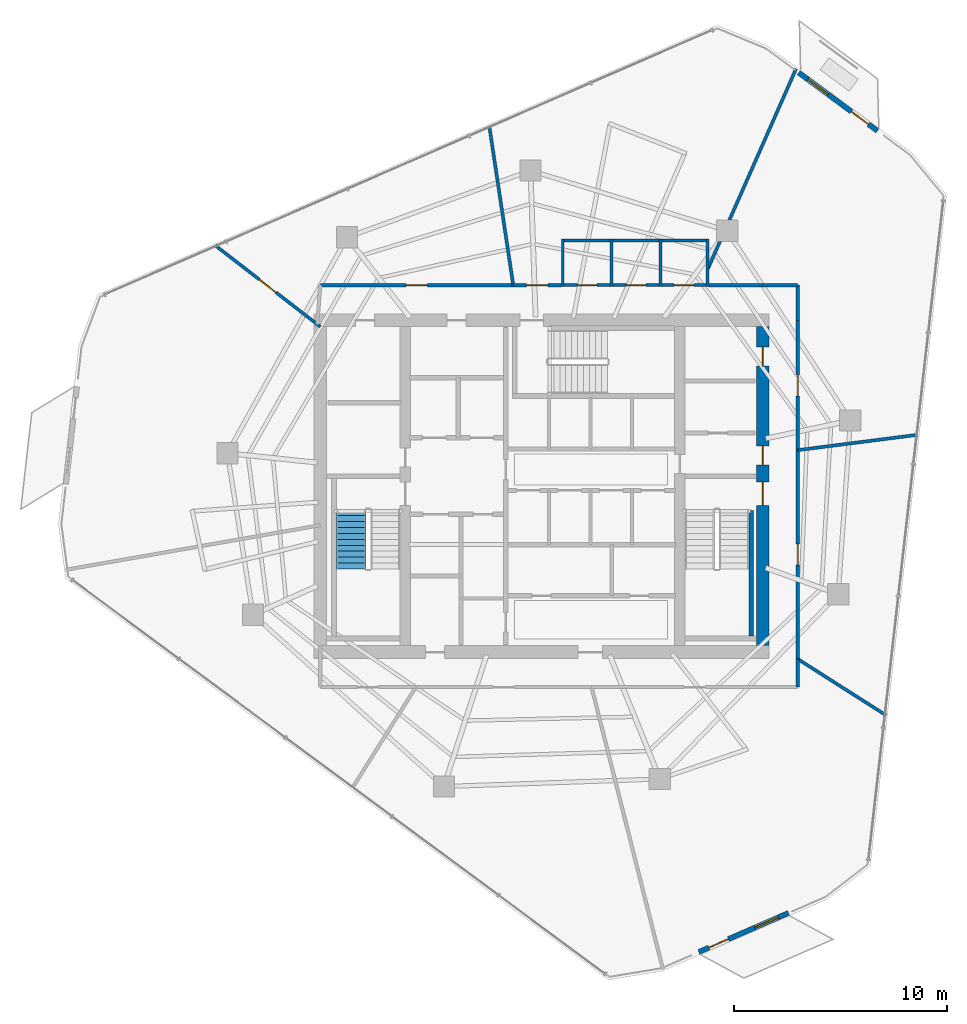
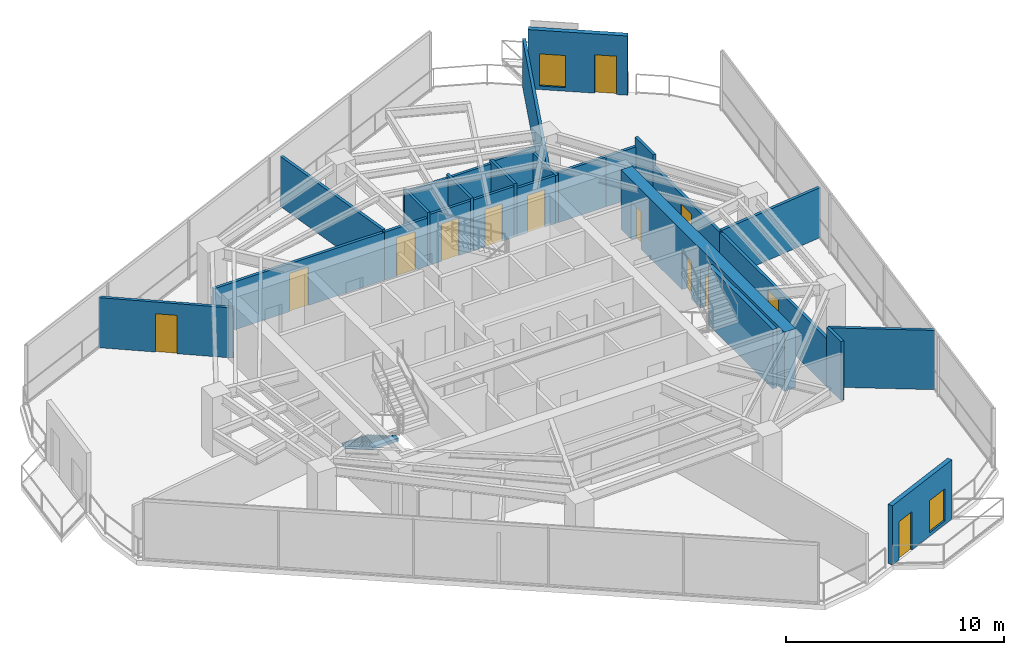
# One storey, part 19 of 22: 27 walls, 13 doors, 2 windows, 1 stair flight, 15 openings, 1 element without a shape of its own.
"""IFC4 building model written with IfcOpenShell, lengths in metres."""

from ifc_helpers import new_model, si_unit, direction, frame, frame_2d, origin, place, context, subcontext, project, spatial, polyline, rectangle, outline, extrude, material, layer, layer_set, type_object, element, fill, aggregate, save


model = new_model("IFC4")

# Units and contexts
model_context = context("Model", 3, precision=1e-05, world=origin(), true_north=direction((0.0, 1.0)))
body_context = subcontext(model_context, "Body", "Model", "MODEL_VIEW")
ifc_project = project(units=[si_unit("LENGTHUNIT", "METRE"), si_unit("AREAUNIT", "SQUARE_METRE"), si_unit("VOLUMEUNIT", "CUBIC_METRE"), si_unit("PLANEANGLEUNIT", "RADIAN"), si_unit("MASSUNIT", "GRAM", prefix="KILO")], contexts=[model_context])

# Site, building, storey
site_placement = place(None, origin())
site = spatial("IfcSite", under=ifc_project, at=site_placement, CompositionType="ELEMENT")
building_placement = place(site_placement, origin())
building = spatial("IfcBuilding", under=site, at=building_placement, Name="Qarnah Convention Tower", CompositionType="ELEMENT")
storey_placement = place(building_placement, frame((0.0, 0.0, 154.5)))
storey = spatial("IfcBuildingStorey", under=building, at=storey_placement, Name="L41", CompositionType="ELEMENT", Elevation=154.5)

# Wall, openings, doors
ifc_material_1 = material(Name="Concrete C60/75", Category="concrete")
ifc_layer_1 = layer(ifc_material_1, 0.60009765625)
ifc_layer_set_1 = layer_set([ifc_layer_1], Name="Concrete C60/75")
wall_type_1 = type_object("IfcWallType", Name="WL-CORE-600", PredefinedType="SHEAR", material=ifc_layer_set_1)
wall_1_placement = place(storey_placement, frame((47.60009765625, 18.89990234375, 0.0), z_axis=(0.0, 0.0, 1.0), x_axis=(0.0, 1.0, 0.0)))
wall_1 = element("IfcWall", 1, at=wall_1_placement, inside=storey, type_object=wall_type_1, Name="L41 core east shear wall", PredefinedType="SHEAR", context=body_context, shape_type="SweptSolid", body=[
    extrude(rectangle(XDim=15.0, YDim=0.60009765625, at=frame_2d((7.5, 0.0))), origin(), (0.0, 0.0, 1.0), 3.320068359375),
])
opening_1_placement = place(wall_1_placement, frame((6.60009765625, 0.0, 0.0)))
opening_1 = element("IfcOpeningElement", 2, at=opening_1_placement, cuts=wall_1, Name="Opening D-4102", PredefinedType="OPENING", context=body_context, shape_type="SweptSolid", body=[
    extrude(rectangle(XDim=1.10009765625, YDim=2.14990234375, at=frame_2d((0.550048828125, 1.074951171875))), frame((0.0, 0.31005859375, 0.0), z_axis=(0.0, -1.0, 0.0), x_axis=(1.0, 0.0, 0.0)), (0.0, 0.0, 1.0), 0.6201171875),
])
opening_2_placement = place(wall_1_placement, frame((8.5, 0.0, 0.0)))
opening_2 = element("IfcOpeningElement", 3, at=opening_2_placement, cuts=wall_1, Name="Opening D-4106", PredefinedType="OPENING", context=body_context, shape_type="SweptSolid", body=[
    extrude(rectangle(XDim=0.89990234375, YDim=2.10009765625, at=frame_2d((0.449951171875, 1.050048828125))), frame((0.0, 0.31005859375, 0.0), z_axis=(0.0, -1.0, 0.0), x_axis=(1.0, 0.0, 0.0)), (0.0, 0.0, 1.0), 0.6201171875),
])
opening_3_placement = place(wall_1_placement, frame((13.14990234375, 0.0, 0.0)))
opening_3 = element("IfcOpeningElement", 4, at=opening_3_placement, cuts=wall_1, Name="Opening D-4112", PredefinedType="OPENING", context=body_context, shape_type="SweptSolid", body=[
    extrude(rectangle(XDim=0.89990234375, YDim=2.10009765625, at=frame_2d((0.449951171875, 1.050048828125))), frame((0.0, 0.31005859375, 0.0), z_axis=(0.0, -1.0, 0.0), x_axis=(1.0, 0.0, 0.0)), (0.0, 0.0, 1.0), 0.6201171875),
])
ifc_material_2 = material(Name="Structural steel S355JR", Category="steel")
door_type_1 = type_object("IfcDoorType", Name="DT-RISER-900", OperationType="NOTDEFINED", PredefinedType="DOOR", material=ifc_material_2)
door_1_placement = place(opening_2_placement, origin())
door_1 = element("IfcDoor", 5, at=door_1_placement, inside=storey, type_object=door_type_1, Name="Door D-4106", OperationType="SINGLE_SWING_LEFT", OverallHeight=2.10009765625, OverallWidth=0.89990234375, PredefinedType="DOOR", context=body_context, shape_type="SweptSolid", body=[
    extrude(rectangle(XDim=0.89990234375, YDim=2.10009765625, at=frame_2d((0.449951171875, 1.050048828125))), frame((0.0, 0.02490234375, 0.0), z_axis=(0.0, -1.0, 0.0), x_axis=(1.0, 0.0, 0.0)), (0.0, 0.0, 1.0), 0.050048828125),
])
fill(opening_2, door_1)
door_2_placement = place(opening_3_placement, origin())
door_2 = element("IfcDoor", 6, at=door_2_placement, inside=storey, type_object=door_type_1, Name="Door D-4112", OperationType="SINGLE_SWING_LEFT", OverallHeight=2.10009765625, OverallWidth=0.89990234375, PredefinedType="DOOR", context=body_context, shape_type="SweptSolid", body=[
    extrude(rectangle(XDim=0.89990234375, YDim=2.10009765625, at=frame_2d((0.449951171875, 1.050048828125))), frame((0.0, 0.02490234375, 0.0), z_axis=(0.0, -1.0, 0.0), x_axis=(1.0, 0.0, 0.0)), (0.0, 0.0, 1.0), 0.050048828125),
])
fill(opening_3, door_2)
door_type_2 = type_object("IfcDoorType", Name="DT-STAIR-1100", OperationType="NOTDEFINED", PredefinedType="DOOR", material=ifc_material_2)
door_3_placement = place(opening_1_placement, origin())
door_3 = element("IfcDoor", 7, at=door_3_placement, inside=storey, type_object=door_type_2, Name="Door D-4102", OperationType="SINGLE_SWING_LEFT", OverallHeight=2.14990234375, OverallWidth=1.10009765625, PredefinedType="DOOR", context=body_context, shape_type="SweptSolid", body=[
    extrude(rectangle(XDim=1.10009765625, YDim=2.14990234375, at=frame_2d((0.550048828125, 1.074951171875))), frame((0.0, 0.02490234375, 0.0), z_axis=(0.0, -1.0, 0.0), x_axis=(1.0, 0.0, 0.0)), (0.0, 0.0, 1.0), 0.050048828125),
])
fill(opening_1, door_3)

# Wall
ifc_layer_2 = layer(ifc_material_1, 0.219970703125)
ifc_layer_set_2 = layer_set([ifc_layer_2], Name="Concrete C60/75")
wall_type_2 = type_object("IfcWallType", Name="WL-CORE-STAIR-220", PredefinedType="SHEAR", material=ifc_layer_set_2)
wall_2_placement = place(storey_placement, frame((47.06005859375, 19.35009765625, 0.0), z_axis=(0.0, 0.0, 1.0), x_axis=(0.0, 1.0, 0.0)))
element("IfcWall", 8, at=wall_2_placement, inside=storey, type_object=wall_type_2, Name="L41 stair shaft shear wall SW-L41-ST2E", PredefinedType="SHEAR", context=body_context, shape_type="SweptSolid", body=[
    extrude(rectangle(XDim=5.89990234375, YDim=0.219970703125, at=frame_2d((2.949951171875, 0.0))), origin(), (0.0, 0.0, 1.0), 3.320068359375),
])

# Wall, openings, door, window
ifc_material_3 = material(Name="Precast concrete C45/55", Category="concrete")
ifc_layer_3 = layer(ifc_material_3, 0.239990234375)
ifc_layer_set_3 = layer_set([ifc_layer_3], Name="Precast concrete C45/55")
wall_type_3 = type_object("IfcWallType", Name="WL-EXT-BAL-240", PredefinedType="SOLIDWALL", material=ifc_layer_set_3)
wall_3_placement = place(storey_placement, frame((49.2939453125, 45.844970703125, 0.0), z_axis=(0.0, 0.0, 1.0), x_axis=(0.804088999251, -0.594508941298, 0.0)))
wall_3 = element("IfcWall", 9, at=wall_3_placement, inside=storey, type_object=wall_type_3, Name="L41 loggia threshold wall BAL-L41-C1", PredefinedType="SOLIDWALL", context=body_context, shape_type="SweptSolid", body=[
    extrude(rectangle(XDim=4.60009765625, YDim=0.239990234375, at=frame_2d((2.300048828125, 0.0))), origin(), (0.0, 0.0, 1.0), 3.320068359375),
])
opening_4_placement = place(wall_3_placement, frame((3.080078125, 0.0, 0.0)))
opening_4 = element("IfcOpeningElement", 10, at=opening_4_placement, cuts=wall_3, Name="Opening BD-4101", PredefinedType="OPENING", context=body_context, shape_type="SweptSolid", body=[
    extrude(rectangle(XDim=1.0, YDim=2.14990234375, at=frame_2d((0.5, 1.074951171875))), frame((0.0, 0.1298828125, 0.0), z_axis=(0.0, -1.0, 0.0), x_axis=(1.0, 0.0, 0.0)), (0.0, 0.0, 1.0), 0.260009765625),
])
opening_5_placement = place(wall_3_placement, frame((0.52001953125, 0.0, 0.199951171875)))
opening_5 = element("IfcOpeningElement", 11, at=opening_5_placement, cuts=wall_3, Name="Opening WN5", PredefinedType="OPENING", context=body_context, shape_type="SweptSolid", body=[
    extrude(rectangle(XDim=1.199951171875, YDim=1.800048828125, at=frame_2d((0.60009765625, 0.89990234375))), frame((0.0, 0.1298828125, 0.0), z_axis=(0.0, -1.0, 0.0), x_axis=(1.0, 0.0, 0.0)), (0.0, 0.0, 1.0), 0.260009765625),
])
ifc_material_4 = material(Name="Black anodised aluminium", Category="aluminium")
door_type_3 = type_object("IfcDoorType", Name="DT-BAL-1000", OperationType="NOTDEFINED", PredefinedType="DOOR", material=ifc_material_4)
door_4_placement = place(opening_4_placement, origin())
door_4 = element("IfcDoor", 12, at=door_4_placement, inside=storey, type_object=door_type_3, Name="L41 balcony terrace door BAL-L41-C1", OperationType="SINGLE_SWING_RIGHT", OverallHeight=2.14990234375, OverallWidth=1.0, PredefinedType="DOOR", context=body_context, shape_type="SweptSolid", body=[
    extrude(rectangle(XDim=1.0, YDim=2.14990234375, at=frame_2d((0.5, 1.074951171875))), frame((0.0, 0.02490234375, 0.0), z_axis=(0.0, -1.0, 0.0), x_axis=(1.0, 0.0, 0.0)), (0.0, 0.0, 1.0), 0.050048828125),
])
fill(opening_4, door_4)
ifc_material_5 = material(Name="Tempered Low-E dark glass", Category="glass")
window_type = type_object("IfcWindowType", Name="WT-BAL-1200X1800", PartitioningType="SINGLE_PANEL", PredefinedType="WINDOW", material=ifc_material_5)
window_1_placement = place(opening_5_placement, origin())
window_1 = element("IfcWindow", 13, at=window_1_placement, inside=storey, type_object=window_type, Name="Window BW-BAL-L41-C1", OverallHeight=1.800048828125, OverallWidth=1.199951171875, PartitioningType="SINGLE_PANEL", PredefinedType="WINDOW", context=body_context, shape_type="SweptSolid", body=[
    extrude(rectangle(XDim=1.199951171875, YDim=1.800048828125, at=frame_2d((0.60009765625, 0.89990234375))), frame((0.0, 0.030029296875, 0.0), z_axis=(0.0, -1.0, 0.0), x_axis=(1.0, 0.0, 0.0)), (0.0, 0.0, 1.0), 0.06005859375),
])
fill(opening_5, window_1)

wall_4_placement = place(storey_placement, frame((48.81591796875, 6.3330078125, 0.0), z_axis=(0.0, 0.0, 1.0), x_axis=(-0.916909671924, -0.399094792665, 0.0)))
wall_4 = element("IfcWall", 14, at=wall_4_placement, inside=storey, type_object=wall_type_3, Name="L41 loggia threshold wall BAL-L41-C3", PredefinedType="SOLIDWALL", context=body_context, shape_type="SweptSolid", body=[
    extrude(rectangle(XDim=4.600341796875, YDim=0.239990234375, at=frame_2d((2.30029296875, 0.0))), origin(), (0.0, 0.0, 1.0), 3.320068359375),
])
opening_6_placement = place(wall_4_placement, frame((3.080078125, 0.0, 0.0)))
opening_6 = element("IfcOpeningElement", 15, at=opening_6_placement, cuts=wall_4, Name="Opening BD-4103", PredefinedType="OPENING", context=body_context, shape_type="SweptSolid", body=[
    extrude(rectangle(XDim=1.0, YDim=2.14990234375, at=frame_2d((0.5, 1.074951171875))), frame((0.0, 0.1298828125, 0.0), z_axis=(0.0, -1.0, 0.0), x_axis=(1.0, 0.0, 0.0)), (0.0, 0.0, 1.0), 0.260009765625),
])
opening_7_placement = place(wall_4_placement, frame((0.52001953125, 0.0, 0.199951171875)))
opening_7 = element("IfcOpeningElement", 16, at=opening_7_placement, cuts=wall_4, Name="Opening WN5", PredefinedType="OPENING", context=body_context, shape_type="SweptSolid", body=[
    extrude(rectangle(XDim=1.199951171875, YDim=1.800048828125, at=frame_2d((0.60009765625, 0.89990234375))), frame((0.0, 0.1298828125, 0.0), z_axis=(0.0, -1.0, 0.0), x_axis=(1.0, 0.0, 0.0)), (0.0, 0.0, 1.0), 0.260009765625),
])
door_5_placement = place(opening_6_placement, origin())
door_5 = element("IfcDoor", 17, at=door_5_placement, inside=storey, type_object=door_type_3, Name="L41 balcony terrace door BAL-L41-C3", OperationType="SINGLE_SWING_RIGHT", OverallHeight=2.14990234375, OverallWidth=1.0, PredefinedType="DOOR", context=body_context, shape_type="SweptSolid", body=[
    extrude(rectangle(XDim=1.0, YDim=2.14990234375, at=frame_2d((0.5, 1.074951171875))), frame((0.0, 0.02490234375, 0.0), z_axis=(0.0, -1.0, 0.0), x_axis=(1.0, 0.0, 0.0)), (0.0, 0.0, 1.0), 0.050048828125),
])
fill(opening_6, door_5)
window_2_placement = place(opening_7_placement, origin())
window_2 = element("IfcWindow", 18, at=window_2_placement, inside=storey, type_object=window_type, Name="Window BW-BAL-L41-C3", OverallHeight=1.800048828125, OverallWidth=1.199951171875, PartitioningType="SINGLE_PANEL", PredefinedType="WINDOW", context=body_context, shape_type="SweptSolid", body=[
    extrude(rectangle(XDim=1.199951171875, YDim=1.800048828125, at=frame_2d((0.60009765625, 0.89990234375))), frame((0.0, 0.030029296875, 0.0), z_axis=(0.0, -1.0, 0.0), x_axis=(1.0, 0.0, 0.0)), (0.0, 0.0, 1.0), 0.06005859375),
])
fill(opening_7, window_2)

# Walls
ifc_material_6 = material(Name="Gypsum partition board")
ifc_layer_4 = layer(ifc_material_6, 0.14990234375)
ifc_layer_set_4 = layer_set([ifc_layer_4], Name="Gypsum partition board")
wall_type_4 = type_object("IfcWallType", Name="WL-SUITE-150", PredefinedType="PARTITIONING", material=ifc_layer_set_4)
wall_5_placement = place(storey_placement, frame((49.166015625, 46.014892578125, 0.0), z_axis=(0.0, 0.0, 1.0), x_axis=(-0.403320714039, -0.915058687531, 0.0)))
element("IfcWall", 19, at=wall_5_placement, inside=storey, type_object=wall_type_4, Name="L41 interior wall IW-L41-R-11", PredefinedType="PARTITIONING", context=body_context, shape_type="SweptSolid", body=[
    extrude(rectangle(XDim=10.329345703125, YDim=0.14990234375, at=frame_2d((5.16455078125, 0.0))), origin(), (0.0, 0.0, 1.0), 2.68701171875),
])
wall_6_placement = place(storey_placement, frame((45.070068359375, 35.85009765625, 0.0), z_axis=(0.0, 0.0, 1.0), x_axis=(1.0, 0.0, 0.0)))
element("IfcWall", 20, at=wall_6_placement, inside=storey, type_object=wall_type_4, Name="L41 interior wall IW-L41-R-12", PredefinedType="PARTITIONING", context=body_context, shape_type="SweptSolid", body=[
    extrude(rectangle(XDim=2.530029296875, YDim=0.14990234375, at=frame_2d((1.26513671875, 0.0))), origin(), (0.0, 0.0, 1.0), 2.804931640625),
])
wall_7_placement = place(storey_placement, frame((47.60009765625, 35.85009765625, 0.0), z_axis=(0.0, 0.0, 1.0), x_axis=(1.0, 0.0, 0.0)))
element("IfcWall", 21, at=wall_7_placement, inside=storey, type_object=wall_type_4, Name="L41 interior wall IW-L41-R-13", PredefinedType="PARTITIONING", context=body_context, shape_type="SweptSolid", body=[
    extrude(rectangle(XDim=1.64990234375, YDim=0.14990234375, at=frame_2d((0.824951171875, 0.0))), origin(), (0.0, 0.0, 1.0), 2.804931640625),
])
wall_8_placement = place(storey_placement, frame((49.25, 35.85009765625, 0.0), z_axis=(0.0, 0.0, 1.0), x_axis=(0.0, -1.0, 0.0)))
element("IfcWall", 22, at=wall_8_placement, inside=storey, type_object=wall_type_4, Name="L41 interior wall IW-L41-R-14", PredefinedType="PARTITIONING", context=body_context, shape_type="SweptSolid", body=[
    extrude(rectangle(XDim=1.650146484375, YDim=0.14990234375, at=frame_2d((0.8251953125, 0.0))), origin(), (0.0, 0.0, 1.0), 3.320068359375),
])

# Wall, opening, door
wall_9_placement = place(storey_placement, frame((49.25, 34.199951171875, 0.0), z_axis=(0.0, 0.0, 1.0), x_axis=(0.0, -1.0, 0.0)))
wall_9 = element("IfcWall", 23, at=wall_9_placement, inside=storey, type_object=wall_type_4, Name="L41 interior wall IW-L41-R-15", PredefinedType="PARTITIONING", context=body_context, shape_type="SweptSolid", body=[
    extrude(rectangle(XDim=6.10595703125, YDim=0.14990234375, at=frame_2d((3.052978515625, 0.0))), origin(), (0.0, 0.0, 1.0), 2.68701171875),
])
opening_8_placement = place(wall_9_placement, frame((2.552978515625, 0.0, 0.0)))
opening_8 = element("IfcOpeningElement", 24, at=opening_8_placement, cuts=wall_9, Name="Opening D-4121", PredefinedType="OPENING", context=body_context, shape_type="SweptSolid", body=[
    extrude(rectangle(XDim=1.0, YDim=2.14990234375, at=frame_2d((0.5, 1.074951171875))), frame((0.0, 0.0849609375, 0.0), z_axis=(0.0, -1.0, 0.0), x_axis=(1.0, 0.0, 0.0)), (0.0, 0.0, 1.0), 0.169921875),
])
ifc_material_7 = material(Name="Oak timber veneer", Category="wood")
door_type_4 = type_object("IfcDoorType", Name="DT-OFFICE-1000", OperationType="NOTDEFINED", PredefinedType="DOOR", material=ifc_material_7)
door_6_placement = place(opening_8_placement, origin())
door_6 = element("IfcDoor", 25, at=door_6_placement, inside=storey, type_object=door_type_4, Name="Door D-4121", OperationType="SINGLE_SWING_RIGHT", OverallHeight=2.14990234375, OverallWidth=1.0, PredefinedType="DOOR", context=body_context, shape_type="SweptSolid", body=[
    extrude(rectangle(XDim=1.0, YDim=2.14990234375, at=frame_2d((0.5, 1.074951171875))), frame((0.0, 0.02490234375, 0.0), z_axis=(0.0, -1.0, 0.0), x_axis=(1.0, 0.0, 0.0)), (0.0, 0.0, 1.0), 0.050048828125),
])
fill(opening_8, door_6)

# Walls
wall_10_placement = place(storey_placement, frame((49.25, 28.093994140625, 0.0), z_axis=(0.0, 0.0, 1.0), x_axis=(0.991906918983, 0.126967177154, 0.0)))
element("IfcWall", 26, at=wall_10_placement, inside=storey, type_object=wall_type_4, Name="L41 interior wall IW-L41-R-16", PredefinedType="PARTITIONING", context=body_context, shape_type="SweptSolid", body=[
    extrude(rectangle(XDim=5.685791015625, YDim=0.14990234375, at=frame_2d((2.8427734375, 0.0))), origin(), (0.0, 0.0, 1.0), 2.804931640625),
])
wall_11_placement = place(storey_placement, frame((34.74609375, 43.3291015625, 0.0), z_axis=(0.0, 0.0, 1.0), x_axis=(0.148873953932, -0.988856180564, 0.0)))
element("IfcWall", 27, at=wall_11_placement, inside=storey, type_object=wall_type_4, Name="L41 interior wall IW-L41-R-17", PredefinedType="PARTITIONING", context=body_context, shape_type="SweptSolid", body=[
    extrude(rectangle(XDim=7.563232421875, YDim=0.14990234375, at=frame_2d((3.78173828125, 0.0))), origin(), (0.0, 0.0, 1.0), 2.804931640625),
])

# Wall, opening, door
wall_12_placement = place(storey_placement, frame((35.8720703125, 35.85009765625, 0.0), z_axis=(0.0, 0.0, 1.0), x_axis=(1.0, 0.0, 0.0)))
wall_12 = element("IfcWall", 28, at=wall_12_placement, inside=storey, type_object=wall_type_4, Name="L41 interior wall IW-L41-R-18", PredefinedType="PARTITIONING", context=body_context, shape_type="SweptSolid", body=[
    extrude(rectangle(XDim=2.2578125, YDim=0.14990234375, at=frame_2d((1.12890625, 0.0))), origin(), (0.0, 0.0, 1.0), 2.68701171875),
])
opening_9_placement = place(wall_12_placement, frame((0.62890625, 0.0, 0.0)))
opening_9 = element("IfcOpeningElement", 29, at=opening_9_placement, cuts=wall_12, Name="Opening D-4122", PredefinedType="OPENING", context=body_context, shape_type="SweptSolid", body=[
    extrude(rectangle(XDim=1.0, YDim=2.14990234375, at=frame_2d((0.5, 1.074951171875))), frame((0.0, 0.0849609375, 0.0), z_axis=(0.0, -1.0, 0.0), x_axis=(1.0, 0.0, 0.0)), (0.0, 0.0, 1.0), 0.169921875),
])
door_7_placement = place(opening_9_placement, origin())
door_7 = element("IfcDoor", 30, at=door_7_placement, inside=storey, type_object=door_type_4, Name="Door D-4122", OperationType="SINGLE_SWING_LEFT", OverallHeight=2.14990234375, OverallWidth=1.0, PredefinedType="DOOR", context=body_context, shape_type="SweptSolid", body=[
    extrude(rectangle(XDim=1.0, YDim=2.14990234375, at=frame_2d((0.5, 1.074951171875))), frame((0.0, 0.02490234375, 0.0), z_axis=(0.0, -1.0, 0.0), x_axis=(1.0, 0.0, 0.0)), (0.0, 0.0, 1.0), 0.050048828125),
])
fill(opening_9, door_7)

wall_13_placement = place(storey_placement, frame((21.85205078125, 37.72607421875, 0.0), z_axis=(0.0, 0.0, 1.0), x_axis=(0.791074642849, -0.611719633036, 0.0)))
wall_13 = element("IfcWall", 31, at=wall_13_placement, inside=storey, type_object=wall_type_4, Name="L41 interior wall IW-L41-R-19", PredefinedType="PARTITIONING", context=body_context, shape_type="SweptSolid", body=[
    extrude(rectangle(XDim=6.2548828125, YDim=0.14990234375, at=frame_2d((3.12744140625, 0.0))), origin(), (0.0, 0.0, 1.0), 2.804931640625),
])
opening_10_placement = place(wall_13_placement, frame((2.626953125, 0.0, 0.0)))
opening_10 = element("IfcOpeningElement", 32, at=opening_10_placement, cuts=wall_13, Name="Opening D-4124", PredefinedType="OPENING", context=body_context, shape_type="SweptSolid", body=[
    extrude(rectangle(XDim=1.0, YDim=2.14990234375, at=frame_2d((0.5, 1.074951171875))), frame((0.0, 0.0849609375, 0.0), z_axis=(0.0, -1.0, 0.0), x_axis=(1.0, 0.0, 0.0)), (0.0, 0.0, 1.0), 0.169921875),
])
door_8_placement = place(opening_10_placement, origin())
door_8 = element("IfcDoor", 33, at=door_8_placement, inside=storey, type_object=door_type_4, Name="Door D-4124", OperationType="SINGLE_SWING_LEFT", OverallHeight=2.14990234375, OverallWidth=1.0, PredefinedType="DOOR", context=body_context, shape_type="SweptSolid", body=[
    extrude(rectangle(XDim=1.0, YDim=2.14990234375, at=frame_2d((0.5, 1.074951171875))), frame((0.0, 0.02490234375, 0.0), z_axis=(0.0, -1.0, 0.0), x_axis=(1.0, 0.0, 0.0)), (0.0, 0.0, 1.0), 0.050048828125),
])
fill(opening_10, door_8)

wall_14_placement = place(storey_placement, frame((26.800048828125, 35.85009765625, 0.0), z_axis=(0.0, 0.0, 1.0), x_axis=(1.0, 0.0, 0.0)))
wall_14 = element("IfcWall", 34, at=wall_14_placement, inside=storey, type_object=wall_type_4, Name="L41 interior wall IW-L41-R-21", PredefinedType="PARTITIONING", context=body_context, shape_type="SweptSolid", body=[
    extrude(rectangle(XDim=9.072021484375, YDim=0.14990234375, at=frame_2d((4.5361328125, 0.0))), origin(), (0.0, 0.0, 1.0), 2.68701171875),
])
opening_11_placement = place(wall_14_placement, frame((4.035888671875, 0.0, 0.0)))
opening_11 = element("IfcOpeningElement", 35, at=opening_11_placement, cuts=wall_14, Name="Opening D-4123", PredefinedType="OPENING", context=body_context, shape_type="SweptSolid", body=[
    extrude(rectangle(XDim=1.0, YDim=2.14990234375, at=frame_2d((0.5, 1.074951171875))), frame((0.0, 0.0849609375, 0.0), z_axis=(0.0, -1.0, 0.0), x_axis=(1.0, 0.0, 0.0)), (0.0, 0.0, 1.0), 0.169921875),
])
door_9_placement = place(opening_11_placement, origin())
door_9 = element("IfcDoor", 36, at=door_9_placement, inside=storey, type_object=door_type_4, Name="Door D-4123", OperationType="SINGLE_SWING_RIGHT", OverallHeight=2.14990234375, OverallWidth=1.0, PredefinedType="DOOR", context=body_context, shape_type="SweptSolid", body=[
    extrude(rectangle(XDim=1.0, YDim=2.14990234375, at=frame_2d((0.5, 1.074951171875))), frame((0.0, 0.02490234375, 0.0), z_axis=(0.0, -1.0, 0.0), x_axis=(1.0, 0.0, 0.0)), (0.0, 0.0, 1.0), 0.050048828125),
])
fill(opening_11, door_9)

# Walls
wall_15_placement = place(storey_placement, frame((53.39892578125, 15.6298828125, 0.0), z_axis=(0.0, 0.0, 1.0), x_axis=(-0.843489767403, 0.537145243194, 0.0)))
element("IfcWall", 37, at=wall_15_placement, inside=storey, type_object=wall_type_4, Name="L41 interior wall IW-L41-R-28", PredefinedType="PARTITIONING", context=body_context, shape_type="SweptSolid", body=[
    extrude(rectangle(XDim=4.918701171875, YDim=0.14990234375, at=frame_2d((2.45947265625, 0.0))), origin(), (0.0, 0.0, 1.0), 3.320068359375),
])
wall_16_placement = place(storey_placement, frame((49.25, 18.27197265625, 0.0), z_axis=(0.0, 0.0, 1.0), x_axis=(0.0, -1.0, 0.0)))
element("IfcWall", 38, at=wall_16_placement, inside=storey, type_object=wall_type_4, Name="L41 interior wall IW-L41-R-29", PredefinedType="PARTITIONING", context=body_context, shape_type="SweptSolid", body=[
    extrude(rectangle(XDim=1.322021484375, YDim=0.14990234375, at=frame_2d((0.6611328125, 0.0))), origin(), (0.0, 0.0, 1.0), 3.320068359375),
])

# Wall, opening, door
wall_17_placement = place(storey_placement, frame((49.25, 28.093994140625, 0.0), z_axis=(0.0, 0.0, 1.0), x_axis=(0.0, -1.0, 0.0)))
wall_17 = element("IfcWall", 39, at=wall_17_placement, inside=storey, type_object=wall_type_4, Name="L41 interior wall IW-L41-R-31", PredefinedType="PARTITIONING", context=body_context, shape_type="SweptSolid", body=[
    extrude(rectangle(XDim=9.822021484375, YDim=0.14990234375, at=frame_2d((4.9111328125, 0.0))), origin(), (0.0, 0.0, 1.0), 2.68701171875),
])
opening_12_placement = place(wall_17_placement, frame((4.410888671875, 0.0, 0.0)))
opening_12 = element("IfcOpeningElement", 40, at=opening_12_placement, cuts=wall_17, Name="Opening D-4128", PredefinedType="OPENING", context=body_context, shape_type="SweptSolid", body=[
    extrude(rectangle(XDim=1.0, YDim=2.14990234375, at=frame_2d((0.5, 1.074951171875))), frame((0.0, 0.0849609375, 0.0), z_axis=(0.0, -1.0, 0.0), x_axis=(1.0, 0.0, 0.0)), (0.0, 0.0, 1.0), 0.169921875),
])
door_10_placement = place(opening_12_placement, origin())
door_10 = element("IfcDoor", 41, at=door_10_placement, inside=storey, type_object=door_type_4, Name="Door D-4128", OperationType="SINGLE_SWING_LEFT", OverallHeight=2.14990234375, OverallWidth=1.0, PredefinedType="DOOR", context=body_context, shape_type="SweptSolid", body=[
    extrude(rectangle(XDim=1.0, YDim=2.14990234375, at=frame_2d((0.5, 1.074951171875))), frame((0.0, 0.02490234375, 0.0), z_axis=(0.0, -1.0, 0.0), x_axis=(1.0, 0.0, 0.0)), (0.0, 0.0, 1.0), 0.050048828125),
])
fill(opening_12, door_10)

ifc_layer_5 = layer(ifc_material_6, 0.139892578125)
ifc_layer_set_5 = layer_set([ifc_layer_5], Name="Gypsum partition board")
wall_type_5 = type_object("IfcWallType", Name="WL-WET-140", PredefinedType="PARTITIONING", material=ifc_layer_set_5)
wall_18_placement = place(storey_placement, frame((38.1298828125, 35.85009765625, 0.0), z_axis=(0.0, 0.0, 1.0), x_axis=(1.0, 0.0, 0.0)))
wall_18 = element("IfcWall", 42, at=wall_18_placement, inside=storey, type_object=wall_type_5, Name="L41 interior wall IW-L41-WCM-1", PredefinedType="PARTITIONING", context=body_context, shape_type="SweptSolid", body=[
    extrude(rectangle(XDim=2.440185546875, YDim=0.139892578125, at=frame_2d((1.22021484375, 0.0))), origin(), (0.0, 0.0, 1.0), 2.841064453125),
])
opening_13_placement = place(wall_18_placement, frame((0.760009765625, 0.0, 0.0)))
opening_13 = element("IfcOpeningElement", 43, at=opening_13_placement, cuts=wall_18, Name="Opening D-4118", PredefinedType="OPENING", context=body_context, shape_type="SweptSolid", body=[
    extrude(rectangle(XDim=0.919921875, YDim=2.10009765625, at=frame_2d((0.4599609375, 1.050048828125))), frame((0.0, 0.079833984375, 0.0), z_axis=(0.0, -1.0, 0.0), x_axis=(1.0, 0.0, 0.0)), (0.0, 0.0, 1.0), 0.159912109375),
])
door_type_5 = type_object("IfcDoorType", Name="DT-WC-920", OperationType="NOTDEFINED", PredefinedType="DOOR", material=ifc_material_7)
door_11_placement = place(opening_13_placement, origin())
door_11 = element("IfcDoor", 44, at=door_11_placement, inside=storey, type_object=door_type_5, Name="Door D-4118", OperationType="SINGLE_SWING_LEFT", OverallHeight=2.10009765625, OverallWidth=0.919921875, PredefinedType="DOOR", context=body_context, shape_type="SweptSolid", body=[
    extrude(rectangle(XDim=0.919921875, YDim=2.10009765625, at=frame_2d((0.4599609375, 1.050048828125))), frame((0.0, 0.02490234375, 0.0), z_axis=(0.0, -1.0, 0.0), x_axis=(1.0, 0.0, 0.0)), (0.0, 0.0, 1.0), 0.050048828125),
])
fill(opening_13, door_11)

# Walls
wall_19_placement = place(storey_placement, frame((40.5, 35.780029296875, 0.0), z_axis=(0.0, 0.0, 1.0), x_axis=(0.0, 1.0, 0.0)))
element("IfcWall", 45, at=wall_19_placement, inside=storey, type_object=wall_type_5, Name="L41 interior wall IW-L41-WCM-2", PredefinedType="PARTITIONING", context=body_context, shape_type="SweptSolid", body=[
    extrude(rectangle(XDim=2.239990234375, YDim=0.139892578125, at=frame_2d((1.1201171875, 0.0))), origin(), (0.0, 0.0, 1.0), 2.992919921875),
])
wall_20_placement = place(storey_placement, frame((40.570068359375, 37.949951171875, 0.0), z_axis=(0.0, 0.0, 1.0), x_axis=(-1.0, 0.0, 0.0)))
element("IfcWall", 46, at=wall_20_placement, inside=storey, type_object=wall_type_5, Name="L41 interior wall IW-L41-WCM-3", PredefinedType="PARTITIONING", context=body_context, shape_type="SweptSolid", body=[
    extrude(rectangle(XDim=2.440185546875, YDim=0.139892578125, at=frame_2d((1.22021484375, 0.0))), origin(), (0.0, 0.0, 1.0), 2.841064453125),
])
wall_21_placement = place(storey_placement, frame((38.199951171875, 38.02001953125, 0.0), z_axis=(0.0, 0.0, 1.0), x_axis=(0.0, -1.0, 0.0)))
element("IfcWall", 47, at=wall_21_placement, inside=storey, type_object=wall_type_5, Name="L41 interior wall IW-L41-WCM-4", PredefinedType="PARTITIONING", context=body_context, shape_type="SweptSolid", body=[
    extrude(rectangle(XDim=2.239990234375, YDim=0.139892578125, at=frame_2d((1.1201171875, 0.0))), origin(), (0.0, 0.0, 1.0), 2.992919921875),
])

# Wall, opening, door
wall_22_placement = place(storey_placement, frame((40.429931640625, 35.85009765625, 0.0), z_axis=(0.0, 0.0, 1.0), x_axis=(1.0, 0.0, 0.0)))
wall_22 = element("IfcWall", 48, at=wall_22_placement, inside=storey, type_object=wall_type_5, Name="L41 interior wall IW-L41-WCF-1", PredefinedType="PARTITIONING", context=body_context, shape_type="SweptSolid", body=[
    extrude(rectangle(XDim=2.440185546875, YDim=0.139892578125, at=frame_2d((1.22021484375, 0.0))), origin(), (0.0, 0.0, 1.0), 2.841064453125),
])
opening_14_placement = place(wall_22_placement, frame((0.760009765625, 0.0, 0.0)))
opening_14 = element("IfcOpeningElement", 49, at=opening_14_placement, cuts=wall_22, Name="Opening D-4119", PredefinedType="OPENING", context=body_context, shape_type="SweptSolid", body=[
    extrude(rectangle(XDim=0.919921875, YDim=2.10009765625, at=frame_2d((0.4599609375, 1.050048828125))), frame((0.0, 0.079833984375, 0.0), z_axis=(0.0, -1.0, 0.0), x_axis=(1.0, 0.0, 0.0)), (0.0, 0.0, 1.0), 0.159912109375),
])
door_12_placement = place(opening_14_placement, origin())
door_12 = element("IfcDoor", 50, at=door_12_placement, inside=storey, type_object=door_type_5, Name="Door D-4119", OperationType="SINGLE_SWING_RIGHT", OverallHeight=2.10009765625, OverallWidth=0.919921875, PredefinedType="DOOR", context=body_context, shape_type="SweptSolid", body=[
    extrude(rectangle(XDim=0.919921875, YDim=2.10009765625, at=frame_2d((0.4599609375, 1.050048828125))), frame((0.0, 0.02490234375, 0.0), z_axis=(0.0, -1.0, 0.0), x_axis=(1.0, 0.0, 0.0)), (0.0, 0.0, 1.0), 0.050048828125),
])
fill(opening_14, door_12)

# Walls
wall_23_placement = place(storey_placement, frame((42.800048828125, 35.780029296875, 0.0), z_axis=(0.0, 0.0, 1.0), x_axis=(0.0, 1.0, 0.0)))
element("IfcWall", 51, at=wall_23_placement, inside=storey, type_object=wall_type_5, Name="L41 interior wall IW-L41-WCF-2", PredefinedType="PARTITIONING", context=body_context, shape_type="SweptSolid", body=[
    extrude(rectangle(XDim=2.239990234375, YDim=0.139892578125, at=frame_2d((1.1201171875, 0.0))), origin(), (0.0, 0.0, 1.0), 2.992919921875),
])
wall_24_placement = place(storey_placement, frame((42.8701171875, 37.949951171875, 0.0), z_axis=(0.0, 0.0, 1.0), x_axis=(-1.0, 0.0, 0.0)))
element("IfcWall", 52, at=wall_24_placement, inside=storey, type_object=wall_type_5, Name="L41 interior wall IW-L41-WCF-3", PredefinedType="PARTITIONING", context=body_context, shape_type="SweptSolid", body=[
    extrude(rectangle(XDim=2.440185546875, YDim=0.139892578125, at=frame_2d((1.22021484375, 0.0))), origin(), (0.0, 0.0, 1.0), 2.841064453125),
])

# Wall, opening, door
wall_25_placement = place(storey_placement, frame((42.72998046875, 35.85009765625, 0.0), z_axis=(0.0, 0.0, 1.0), x_axis=(1.0, 0.0, 0.0)))
wall_25 = element("IfcWall", 53, at=wall_25_placement, inside=storey, type_object=wall_type_5, Name="L41 interior wall IW-L41-WCA-1", PredefinedType="PARTITIONING", context=body_context, shape_type="SweptSolid", body=[
    extrude(rectangle(XDim=2.340087890625, YDim=0.139892578125, at=frame_2d((1.169921875, 0.0))), origin(), (0.0, 0.0, 1.0), 2.68701171875),
])
opening_15_placement = place(wall_25_placement, frame((0.7099609375, 0.0, 0.0)))
opening_15 = element("IfcOpeningElement", 54, at=opening_15_placement, cuts=wall_25, Name="Opening D-4120", PredefinedType="OPENING", context=body_context, shape_type="SweptSolid", body=[
    extrude(rectangle(XDim=0.919921875, YDim=2.10009765625, at=frame_2d((0.4599609375, 1.050048828125))), frame((0.0, 0.079833984375, 0.0), z_axis=(0.0, -1.0, 0.0), x_axis=(1.0, 0.0, 0.0)), (0.0, 0.0, 1.0), 0.159912109375),
])
door_13_placement = place(opening_15_placement, origin())
door_13 = element("IfcDoor", 55, at=door_13_placement, inside=storey, type_object=door_type_5, Name="Door D-4120", OperationType="SINGLE_SWING_LEFT", OverallHeight=2.10009765625, OverallWidth=0.919921875, PredefinedType="DOOR", context=body_context, shape_type="SweptSolid", body=[
    extrude(rectangle(XDim=0.919921875, YDim=2.10009765625, at=frame_2d((0.4599609375, 1.050048828125))), frame((0.0, 0.02490234375, 0.0), z_axis=(0.0, -1.0, 0.0), x_axis=(1.0, 0.0, 0.0)), (0.0, 0.0, 1.0), 0.050048828125),
])
fill(opening_15, door_13)

# Walls
wall_26_placement = place(storey_placement, frame((45.0, 35.780029296875, 0.0), z_axis=(0.0, 0.0, 1.0), x_axis=(0.0, 1.0, 0.0)))
element("IfcWall", 56, at=wall_26_placement, inside=storey, type_object=wall_type_5, Name="L41 interior wall IW-L41-WCA-2", PredefinedType="PARTITIONING", context=body_context, shape_type="SweptSolid", body=[
    extrude(rectangle(XDim=2.239990234375, YDim=0.139892578125, at=frame_2d((1.1201171875, 0.0))), origin(), (0.0, 0.0, 1.0), 2.68701171875),
])
wall_27_placement = place(storey_placement, frame((45.070068359375, 37.949951171875, 0.0), z_axis=(0.0, 0.0, 1.0), x_axis=(-1.0, 0.0, 0.0)))
element("IfcWall", 57, at=wall_27_placement, inside=storey, type_object=wall_type_5, Name="L41 interior wall IW-L41-WCA-3", PredefinedType="PARTITIONING", context=body_context, shape_type="SweptSolid", body=[
    extrude(rectangle(XDim=2.340087890625, YDim=0.139892578125, at=frame_2d((1.169921875, 0.0))), origin(), (0.0, 0.0, 1.0), 2.948974609375),
])

# Stair, stair flight
ifc_material_8 = material(Name="Concrete C50/60", Category="concrete")
stair_type = type_object("IfcStairType", Name="STR-OFF", PredefinedType="HALF_TURN_STAIR", material=ifc_material_8)
stair_placement = place(storey_placement, origin())
stair = element("IfcStair", 58, at=stair_placement, inside=storey, type_object=stair_type, Name="L41 Core exit stair ST-1", PredefinedType="HALF_TURN_STAIR")
stair_flight_type = type_object("IfcStairFlightType", Name="FLT-OFF", PredefinedType="STRAIGHT", material=ifc_material_8)
stair_flight_placement = place(storey_placement, frame((28.25, 25.300048828125, 0.0), z_axis=(0.0, 0.0, 1.0), x_axis=(0.0, -1.0, 0.0)))
stair_flight = element("IfcStairFlight", 59, at=stair_flight_placement, type_object=stair_flight_type, Name="ST-1 flight 1", NumberOfRisers=11, NumberOfTreads=10, PredefinedType="STRAIGHT", RiserHeight=0.163636364, TreadLength=0.28, context=body_context, shape_type="SweptSolid", body=[
    extrude(outline(polyline([(0.0, 0.0), (0.0, 0.16357421875), (0.280029296875, 0.16357421875), (0.280029296875, 0.327392578125), (0.56005859375, 0.327392578125), (0.56005859375, 0.490966796875), (0.840087890625, 0.490966796875), (0.840087890625, 0.654541015625), (1.1201171875, 0.654541015625), (1.1201171875, 0.818115234375), (1.39990234375, 0.818115234375), (1.39990234375, 0.98193359375), (1.679931640625, 0.98193359375), (1.679931640625, 1.1455078125), (1.9599609375, 1.1455078125), (1.9599609375, 1.30908203125), (2.239990234375, 1.30908203125), (2.239990234375, 1.47265625), (2.52001953125, 1.47265625), (2.52001953125, 1.636474609375), (2.800048828125, 1.636474609375), (2.800048828125, 1.800048828125), (2.800048828125, 1.462646484375), (0.297119140625, 0.0), (0.0, 0.0)])), frame((0.0, 0.699951171875, 0.0), z_axis=(0.0, -1.0, 0.0), x_axis=(1.0, 0.0, 0.0)), (0.0, 0.0, 1.0), 1.39990234375),
])
aggregate(stair, [stair_flight])

save(model, "model.ifc")
